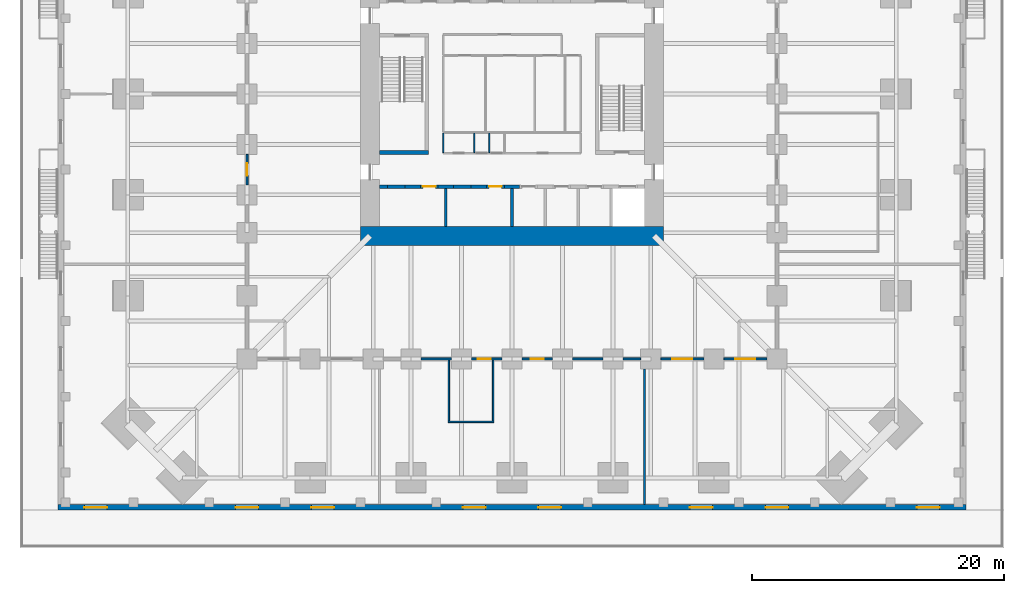
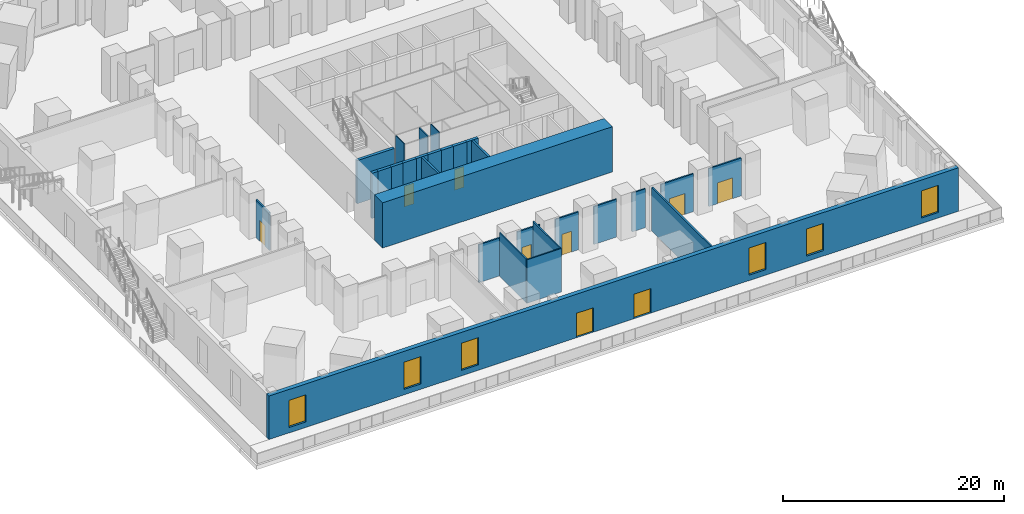
# One storey, part 10 of 20: 29 walls, 9 doors, 6 windows, 15 openings.
"""IFC4 building model written with IfcOpenShell, lengths in metres."""

from ifc_helpers import new_model, si_unit, direction, frame, frame_2d, origin, place, context, subcontext, project, spatial, rectangle, extrude, material, layer, layer_set, type_object, element, fill, save


model = new_model("IFC4")

# Units and contexts
model_context = context("Model", 3, precision=1e-05, world=origin(), true_north=direction((0.0, 1.0)))
body_context = subcontext(model_context, "Body", "Model", "MODEL_VIEW")
ifc_project = project(units=[si_unit("LENGTHUNIT", "METRE"), si_unit("AREAUNIT", "SQUARE_METRE"), si_unit("VOLUMEUNIT", "CUBIC_METRE"), si_unit("PLANEANGLEUNIT", "RADIAN"), si_unit("MASSUNIT", "GRAM", prefix="KILO")], contexts=[model_context])

# Site, building, storey
site_placement = place(None, origin())
site = spatial("IfcSite", under=ifc_project, at=site_placement, CompositionType="ELEMENT")
building_placement = place(site_placement, origin())
building = spatial("IfcBuilding", under=site, at=building_placement, Name="Peilmerk Tower", CompositionType="ELEMENT")
storey_placement = place(building_placement, frame((0.0, 0.0, 11.0)))
storey = spatial("IfcBuildingStorey", under=building, at=storey_placement, Name="L02", CompositionType="ELEMENT", Elevation=11.0)

# Wall, openings, doors, windows
ifc_material_1 = material(Name="Precast concrete C45/55, board-marked finish", Category="concrete")
ifc_layer_1 = layer(ifc_material_1, 0.449951171875)
ifc_layer_set_1 = layer_set([ifc_layer_1], Name="Precast concrete C45/55, board-marked finish")
wall_type_1 = type_object("IfcWallType", Name="EW1 450 precast concrete facade wall, board-marked", PredefinedType="SOLIDWALL", material=ifc_layer_set_1)
wall_1_placement = place(storey_placement, frame((36.0, -32.77490234375, 0.0), z_axis=(0.0, 0.0, 1.0), x_axis=(-1.0, 0.0, 0.0)))
wall_1 = element("IfcWall", 1, at=wall_1_placement, inside=storey, type_object=wall_type_1, Name="Facade wall S L02", PredefinedType="SOLIDWALL", context=body_context, shape_type="SweptSolid", body=[
    extrude(rectangle(XDim=72.0, YDim=0.449951171875, at=frame_2d((36.0, 0.0))), origin(), (0.0, 0.0, 1.0), 4.800048828125),
])
opening_1_placement = place(wall_1_placement, frame((2.10009765625, 0.0, 0.60009765625)))
opening_1 = element("IfcOpeningElement", 2, at=opening_1_placement, cuts=wall_1, Name="Opening W7", PredefinedType="OPENING", context=body_context, shape_type="SweptSolid", body=[
    extrude(rectangle(XDim=1.800048828125, YDim=3.0, at=frame_2d((0.89990234375, 1.5))), frame((0.0, 0.23486328125, 0.0), z_axis=(0.0, -1.0, 0.0), x_axis=(1.0, 0.0, 0.0)), (0.0, 0.0, 1.0), 0.469970703125),
])
opening_2_placement = place(wall_1_placement, frame((14.10009765625, 0.0, 0.60009765625)))
opening_2 = element("IfcOpeningElement", 3, at=opening_2_placement, cuts=wall_1, Name="Opening W7", PredefinedType="OPENING", context=body_context, shape_type="SweptSolid", body=[
    extrude(rectangle(XDim=1.800048828125, YDim=3.0, at=frame_2d((0.89990234375, 1.5))), frame((0.0, 0.23486328125, 0.0), z_axis=(0.0, -1.0, 0.0), x_axis=(1.0, 0.0, 0.0)), (0.0, 0.0, 1.0), 0.469970703125),
])
opening_3_placement = place(wall_1_placement, frame((20.10009765625, 0.0, 0.60009765625)))
opening_3 = element("IfcOpeningElement", 4, at=opening_3_placement, cuts=wall_1, Name="Opening W7", PredefinedType="OPENING", context=body_context, shape_type="SweptSolid", body=[
    extrude(rectangle(XDim=1.800048828125, YDim=3.0, at=frame_2d((0.89990234375, 1.5))), frame((0.0, 0.23486328125, 0.0), z_axis=(0.0, -1.0, 0.0), x_axis=(1.0, 0.0, 0.0)), (0.0, 0.0, 1.0), 0.469970703125),
])
opening_4_placement = place(wall_1_placement, frame((50.10009765625, 0.0, 0.60009765625)))
opening_4 = element("IfcOpeningElement", 5, at=opening_4_placement, cuts=wall_1, Name="Opening W7", PredefinedType="OPENING", context=body_context, shape_type="SweptSolid", body=[
    extrude(rectangle(XDim=1.800048828125, YDim=3.0, at=frame_2d((0.89990234375, 1.5))), frame((0.0, 0.23486328125, 0.0), z_axis=(0.0, -1.0, 0.0), x_axis=(1.0, 0.0, 0.0)), (0.0, 0.0, 1.0), 0.469970703125),
])
opening_5_placement = place(wall_1_placement, frame((56.10009765625, 0.0, 0.60009765625)))
opening_5 = element("IfcOpeningElement", 6, at=opening_5_placement, cuts=wall_1, Name="Opening W7", PredefinedType="OPENING", context=body_context, shape_type="SweptSolid", body=[
    extrude(rectangle(XDim=1.800048828125, YDim=3.0, at=frame_2d((0.89990234375, 1.5))), frame((0.0, 0.23486328125, 0.0), z_axis=(0.0, -1.0, 0.0), x_axis=(1.0, 0.0, 0.0)), (0.0, 0.0, 1.0), 0.469970703125),
])
opening_6_placement = place(wall_1_placement, frame((68.10009765625, 0.0, 0.60009765625)))
opening_6 = element("IfcOpeningElement", 7, at=opening_6_placement, cuts=wall_1, Name="Opening W7", PredefinedType="OPENING", context=body_context, shape_type="SweptSolid", body=[
    extrude(rectangle(XDim=1.800048828125, YDim=3.0, at=frame_2d((0.89990234375, 1.5))), frame((0.0, 0.23486328125, 0.0), z_axis=(0.0, -1.0, 0.0), x_axis=(1.0, 0.0, 0.0)), (0.0, 0.0, 1.0), 0.469970703125),
])
opening_7_placement = place(wall_1_placement, frame((32.10009765625, 0.0, 0.0)))
opening_7 = element("IfcOpeningElement", 8, at=opening_7_placement, cuts=wall_1, Name="Opening ED4", PredefinedType="OPENING", context=body_context, shape_type="SweptSolid", body=[
    extrude(rectangle(XDim=1.800048828125, YDim=2.699951171875, at=frame_2d((0.89990234375, 1.35009765625))), frame((0.0, 0.23486328125, 0.0), z_axis=(0.0, -1.0, 0.0), x_axis=(1.0, 0.0, 0.0)), (0.0, 0.0, 1.0), 0.469970703125),
])
opening_8_placement = place(wall_1_placement, frame((38.10009765625, 0.0, 0.0)))
opening_8 = element("IfcOpeningElement", 9, at=opening_8_placement, cuts=wall_1, Name="Opening ED4", PredefinedType="OPENING", context=body_context, shape_type="SweptSolid", body=[
    extrude(rectangle(XDim=1.800048828125, YDim=2.699951171875, at=frame_2d((0.89990234375, 1.35009765625))), frame((0.0, 0.23486328125, 0.0), z_axis=(0.0, -1.0, 0.0), x_axis=(1.0, 0.0, 0.0)), (0.0, 0.0, 1.0), 0.469970703125),
])
ifc_material_2 = material(Name="Aluminium frame, clear glazing", Category="aluminium")
door_type_1 = type_object("IfcDoorType", Name="ED4 1800x2700 terrace door pair, glazed", OperationType="DOUBLE_DOOR_DOUBLE_SWING", PredefinedType="DOOR", material=ifc_material_2)
door_1_placement = place(opening_7_placement, origin())
door_1 = element("IfcDoor", 10, at=door_1_placement, inside=storey, type_object=door_type_1, Name="Terrace door pair, glazed L02", OperationType="DOUBLE_DOOR_DOUBLE_SWING", OverallHeight=2.699951171875, OverallWidth=1.800048828125, PredefinedType="DOOR", context=body_context, shape_type="SweptSolid", body=[
    extrude(rectangle(XDim=1.800048828125, YDim=2.699951171875, at=frame_2d((0.89990234375, 1.35009765625))), frame((0.0, 0.02490234375, 0.0), z_axis=(0.0, -1.0, 0.0), x_axis=(1.0, 0.0, 0.0)), (0.0, 0.0, 1.0), 0.050048828125),
])
fill(opening_7, door_1)
door_2_placement = place(opening_8_placement, origin())
door_2 = element("IfcDoor", 11, at=door_2_placement, inside=storey, type_object=door_type_1, Name="Terrace door pair, glazed L02", OperationType="DOUBLE_DOOR_DOUBLE_SWING", OverallHeight=2.699951171875, OverallWidth=1.800048828125, PredefinedType="DOOR", context=body_context, shape_type="SweptSolid", body=[
    extrude(rectangle(XDim=1.800048828125, YDim=2.699951171875, at=frame_2d((0.89990234375, 1.35009765625))), frame((0.0, 0.02490234375, 0.0), z_axis=(0.0, -1.0, 0.0), x_axis=(1.0, 0.0, 0.0)), (0.0, 0.0, 1.0), 0.050048828125),
])
fill(opening_8, door_2)
ifc_material_3 = material(Name="Aluminium frame, clear double glazing", Category="aluminium")
window_type = type_object("IfcWindowType", Name="W7 1800x3000 podium window", PartitioningType="SINGLE_PANEL", PredefinedType="WINDOW", material=ifc_material_3)
window_1_placement = place(opening_1_placement, origin())
window_1 = element("IfcWindow", 12, at=window_1_placement, inside=storey, type_object=window_type, Name="Window W7 L02", OverallHeight=3.0, OverallWidth=1.800048828125, PartitioningType="SINGLE_PANEL", PredefinedType="WINDOW", context=body_context, shape_type="SweptSolid", body=[
    extrude(rectangle(XDim=1.800048828125, YDim=3.0, at=frame_2d((0.89990234375, 1.5))), frame((0.0, 0.030029296875, 0.0), z_axis=(0.0, -1.0, 0.0), x_axis=(1.0, 0.0, 0.0)), (0.0, 0.0, 1.0), 0.06005859375),
])
fill(opening_1, window_1)
window_2_placement = place(opening_2_placement, origin())
window_2 = element("IfcWindow", 13, at=window_2_placement, inside=storey, type_object=window_type, Name="Window W7 L02", OverallHeight=3.0, OverallWidth=1.800048828125, PartitioningType="SINGLE_PANEL", PredefinedType="WINDOW", context=body_context, shape_type="SweptSolid", body=[
    extrude(rectangle(XDim=1.800048828125, YDim=3.0, at=frame_2d((0.89990234375, 1.5))), frame((0.0, 0.030029296875, 0.0), z_axis=(0.0, -1.0, 0.0), x_axis=(1.0, 0.0, 0.0)), (0.0, 0.0, 1.0), 0.06005859375),
])
fill(opening_2, window_2)
window_3_placement = place(opening_3_placement, origin())
window_3 = element("IfcWindow", 14, at=window_3_placement, inside=storey, type_object=window_type, Name="Window W7 L02", OverallHeight=3.0, OverallWidth=1.800048828125, PartitioningType="SINGLE_PANEL", PredefinedType="WINDOW", context=body_context, shape_type="SweptSolid", body=[
    extrude(rectangle(XDim=1.800048828125, YDim=3.0, at=frame_2d((0.89990234375, 1.5))), frame((0.0, 0.030029296875, 0.0), z_axis=(0.0, -1.0, 0.0), x_axis=(1.0, 0.0, 0.0)), (0.0, 0.0, 1.0), 0.06005859375),
])
fill(opening_3, window_3)
window_4_placement = place(opening_4_placement, origin())
window_4 = element("IfcWindow", 15, at=window_4_placement, inside=storey, type_object=window_type, Name="Window W7 L02", OverallHeight=3.0, OverallWidth=1.800048828125, PartitioningType="SINGLE_PANEL", PredefinedType="WINDOW", context=body_context, shape_type="SweptSolid", body=[
    extrude(rectangle(XDim=1.800048828125, YDim=3.0, at=frame_2d((0.89990234375, 1.5))), frame((0.0, 0.030029296875, 0.0), z_axis=(0.0, -1.0, 0.0), x_axis=(1.0, 0.0, 0.0)), (0.0, 0.0, 1.0), 0.06005859375),
])
fill(opening_4, window_4)
window_5_placement = place(opening_5_placement, origin())
window_5 = element("IfcWindow", 16, at=window_5_placement, inside=storey, type_object=window_type, Name="Window W7 L02", OverallHeight=3.0, OverallWidth=1.800048828125, PartitioningType="SINGLE_PANEL", PredefinedType="WINDOW", context=body_context, shape_type="SweptSolid", body=[
    extrude(rectangle(XDim=1.800048828125, YDim=3.0, at=frame_2d((0.89990234375, 1.5))), frame((0.0, 0.030029296875, 0.0), z_axis=(0.0, -1.0, 0.0), x_axis=(1.0, 0.0, 0.0)), (0.0, 0.0, 1.0), 0.06005859375),
])
fill(opening_5, window_5)
window_6_placement = place(opening_6_placement, origin())
window_6 = element("IfcWindow", 17, at=window_6_placement, inside=storey, type_object=window_type, Name="Window W7 L02", OverallHeight=3.0, OverallWidth=1.800048828125, PartitioningType="SINGLE_PANEL", PredefinedType="WINDOW", context=body_context, shape_type="SweptSolid", body=[
    extrude(rectangle(XDim=1.800048828125, YDim=3.0, at=frame_2d((0.89990234375, 1.5))), frame((0.0, 0.030029296875, 0.0), z_axis=(0.0, -1.0, 0.0), x_axis=(1.0, 0.0, 0.0)), (0.0, 0.0, 1.0), 0.06005859375),
])
fill(opening_6, window_6)

# Wall, opening, door
ifc_material_4 = material(Name="Calcium silicate block", Category="masonry")
ifc_layer_2 = layer(ifc_material_4, 0.14990234375)
ifc_layer_set_2 = layer_set([ifc_layer_2], Name="Calcium silicate block")
wall_type_2 = type_object("IfcWallType", Name="IW1 150 corridor partition, EI 60", PredefinedType="PARTITIONING", material=ifc_layer_set_2)
wall_2_placement = place(storey_placement, frame((20.199951171875, -21.0, 0.0), z_axis=(0.0, 0.0, 1.0), x_axis=(-1.0, 0.0, 0.0)))
wall_2 = element("IfcWall", 18, at=wall_2_placement, inside=storey, type_object=wall_type_2, Name="Corridor wall S L02", PredefinedType="PARTITIONING", context=body_context, shape_type="SweptSolid", body=[
    extrude(rectangle(XDim=3.39990234375, YDim=0.14990234375, at=frame_2d((1.699951171875, 0.0))), origin(), (0.0, 0.0, 1.0), 4.179931640625),
])
opening_9_placement = place(wall_2_placement, frame((0.89990234375, 0.0, 0.0)))
opening_9 = element("IfcOpeningElement", 19, at=opening_9_placement, cuts=wall_2, Name="Opening D9", PredefinedType="OPENING", context=body_context, shape_type="SweptSolid", body=[
    extrude(rectangle(XDim=1.60009765625, YDim=2.300048828125, at=frame_2d((0.800048828125, 1.14990234375))), frame((0.0, 0.0849609375, 0.0), z_axis=(0.0, -1.0, 0.0), x_axis=(1.0, 0.0, 0.0)), (0.0, 0.0, 1.0), 0.169921875),
])
ifc_material_5 = material(Name="Glazed timber door in steel frame", Category="steel")
door_type_2 = type_object("IfcDoorType", Name="D9 1600x2300 glazed double door, EI2 30", OperationType="DOUBLE_DOOR_SINGLE_SWING", PredefinedType="DOOR", material=ifc_material_5)
door_3_placement = place(opening_9_placement, origin())
door_3 = element("IfcDoor", 20, at=door_3_placement, inside=storey, type_object=door_type_2, Name="Door Open workspace L02", OperationType="DOUBLE_DOOR_SINGLE_SWING", OverallHeight=2.300048828125, OverallWidth=1.60009765625, PredefinedType="DOOR", context=body_context, shape_type="SweptSolid", body=[
    extrude(rectangle(XDim=1.60009765625, YDim=2.300048828125, at=frame_2d((0.800048828125, 1.14990234375))), frame((0.0, 0.02490234375, 0.0), z_axis=(0.0, -1.0, 0.0), x_axis=(1.0, 0.0, 0.0)), (0.0, 0.0, 1.0), 0.050048828125),
])
fill(opening_9, door_3)

wall_3_placement = place(storey_placement, frame((15.199951171875, -21.0, 0.0), z_axis=(0.0, 0.0, 1.0), x_axis=(-1.0, 0.0, 0.0)))
wall_3 = element("IfcWall", 21, at=wall_3_placement, inside=storey, type_object=wall_type_2, Name="Corridor wall Sb L02", PredefinedType="PARTITIONING", context=body_context, shape_type="SweptSolid", body=[
    extrude(rectangle(XDim=3.39990234375, YDim=0.14990234375, at=frame_2d((1.699951171875, 0.0))), origin(), (0.0, 0.0, 1.0), 4.179931640625),
])
opening_10_placement = place(wall_3_placement, frame((0.89990234375, 0.0, 0.0)))
opening_10 = element("IfcOpeningElement", 22, at=opening_10_placement, cuts=wall_3, Name="Opening D9", PredefinedType="OPENING", context=body_context, shape_type="SweptSolid", body=[
    extrude(rectangle(XDim=1.60009765625, YDim=2.300048828125, at=frame_2d((0.800048828125, 1.14990234375))), frame((0.0, 0.0849609375, 0.0), z_axis=(0.0, -1.0, 0.0), x_axis=(1.0, 0.0, 0.0)), (0.0, 0.0, 1.0), 0.169921875),
])
door_4_placement = place(opening_10_placement, origin())
door_4 = element("IfcDoor", 23, at=door_4_placement, inside=storey, type_object=door_type_2, Name="Door Open workspace L02", OperationType="DOUBLE_DOOR_SINGLE_SWING", OverallHeight=2.300048828125, OverallWidth=1.60009765625, PredefinedType="DOOR", context=body_context, shape_type="SweptSolid", body=[
    extrude(rectangle(XDim=1.60009765625, YDim=2.300048828125, at=frame_2d((0.800048828125, 1.14990234375))), frame((0.0, 0.02490234375, 0.0), z_axis=(0.0, -1.0, 0.0), x_axis=(1.0, 0.0, 0.0)), (0.0, 0.0, 1.0), 0.050048828125),
])
fill(opening_10, door_4)

# Walls
wall_4_placement = place(storey_placement, frame((10.199951171875, -21.0, 0.0), z_axis=(0.0, 0.0, 1.0), x_axis=(-1.0, 0.0, 0.0)))
element("IfcWall", 24, at=wall_4_placement, inside=storey, type_object=wall_type_2, Name="Corridor wall Sc L02", PredefinedType="PARTITIONING", context=body_context, shape_type="SweptSolid", body=[
    extrude(rectangle(XDim=1.39990234375, YDim=0.14990234375, at=frame_2d((0.699951171875, 0.0))), origin(), (0.0, 0.0, 1.0), 4.27587890625),
])
wall_5_placement = place(storey_placement, frame((7.199951171875, -21.0, 0.0), z_axis=(0.0, 0.0, 1.0), x_axis=(-1.0, 0.0, 0.0)))
element("IfcWall", 25, at=wall_5_placement, inside=storey, type_object=wall_type_2, Name="Corridor wall Sd L02", PredefinedType="PARTITIONING", context=body_context, shape_type="SweptSolid", body=[
    extrude(rectangle(XDim=2.39990234375, YDim=0.14990234375, at=frame_2d((1.199951171875, 0.0))), origin(), (0.0, 0.0, 1.0), 4.179931640625),
])

# Wall, opening, door
wall_6_placement = place(storey_placement, frame((3.199951171875, -21.0, 0.0), z_axis=(0.0, 0.0, 1.0), x_axis=(-1.0, 0.0, 0.0)))
wall_6 = element("IfcWall", 26, at=wall_6_placement, inside=storey, type_object=wall_type_2, Name="Corridor wall Se L02", PredefinedType="PARTITIONING", context=body_context, shape_type="SweptSolid", body=[
    extrude(rectangle(XDim=2.39990234375, YDim=0.14990234375, at=frame_2d((1.199951171875, 0.0))), origin(), (0.0, 0.0, 1.0), 4.179931640625),
])
opening_11_placement = place(wall_6_placement, frame((0.699951171875, 0.0, 0.0)))
opening_11 = element("IfcOpeningElement", 27, at=opening_11_placement, cuts=wall_6, Name="Opening D1", PredefinedType="OPENING", context=body_context, shape_type="SweptSolid", body=[
    extrude(rectangle(XDim=1.0, YDim=2.300048828125, at=frame_2d((0.5, 1.14990234375))), frame((0.0, 0.0849609375, 0.0), z_axis=(0.0, -1.0, 0.0), x_axis=(1.0, 0.0, 0.0)), (0.0, 0.0, 1.0), 0.169921875),
])
ifc_material_6 = material(Name="Timber door in steel frame", Category="steel")
door_type_3 = type_object("IfcDoorType", Name="D1 1000x2300 room door, EI2 30", OperationType="SINGLE_SWING_LEFT", PredefinedType="DOOR", material=ifc_material_6)
door_5_placement = place(opening_11_placement, origin())
door_5 = element("IfcDoor", 28, at=door_5_placement, inside=storey, type_object=door_type_3, Name="Door Project room L02", OperationType="SINGLE_SWING_LEFT", OverallHeight=2.300048828125, OverallWidth=1.0, PredefinedType="DOOR", context=body_context, shape_type="SweptSolid", body=[
    extrude(rectangle(XDim=1.0, YDim=2.300048828125, at=frame_2d((0.5, 1.14990234375))), frame((0.0, 0.02490234375, 0.0), z_axis=(0.0, -1.0, 0.0), x_axis=(1.0, 0.0, 0.0)), (0.0, 0.0, 1.0), 0.050048828125),
])
fill(opening_11, door_5)

wall_7_placement = place(storey_placement, frame((-0.800048828125, -21.0, 0.0), z_axis=(0.0, 0.0, 1.0), x_axis=(-1.0, 0.0, 0.0)))
wall_7 = element("IfcWall", 29, at=wall_7_placement, inside=storey, type_object=wall_type_2, Name="Corridor wall Sf L02", PredefinedType="PARTITIONING", context=body_context, shape_type="SweptSolid", body=[
    extrude(rectangle(XDim=2.39990234375, YDim=0.14990234375, at=frame_2d((1.199951171875, 0.0))), origin(), (0.0, 0.0, 1.0), 4.179931640625),
])
opening_12_placement = place(wall_7_placement, frame((0.89990234375, 0.0, 0.0)))
opening_12 = element("IfcOpeningElement", 30, at=opening_12_placement, cuts=wall_7, Name="Opening D1", PredefinedType="OPENING", context=body_context, shape_type="SweptSolid", body=[
    extrude(rectangle(XDim=1.0, YDim=2.300048828125, at=frame_2d((0.5, 1.14990234375))), frame((0.0, 0.0849609375, 0.0), z_axis=(0.0, -1.0, 0.0), x_axis=(1.0, 0.0, 0.0)), (0.0, 0.0, 1.0), 0.169921875),
])
door_6_placement = place(opening_12_placement, origin())
door_6 = element("IfcDoor", 31, at=door_6_placement, inside=storey, type_object=door_type_3, Name="Door Pantry L02", OperationType="SINGLE_SWING_LEFT", OverallHeight=2.300048828125, OverallWidth=1.0, PredefinedType="DOOR", context=body_context, shape_type="SweptSolid", body=[
    extrude(rectangle(XDim=1.0, YDim=2.300048828125, at=frame_2d((0.5, 1.14990234375))), frame((0.0, 0.02490234375, 0.0), z_axis=(0.0, -1.0, 0.0), x_axis=(1.0, 0.0, 0.0)), (0.0, 0.0, 1.0), 0.050048828125),
])
fill(opening_12, door_6)

# Wall
wall_8_placement = place(storey_placement, frame((-4.800048828125, -21.0, 0.0), z_axis=(0.0, 0.0, 1.0), x_axis=(-1.0, 0.0, 0.0)))
element("IfcWall", 32, at=wall_8_placement, inside=storey, type_object=wall_type_2, Name="Corridor wall Sg L02", PredefinedType="PARTITIONING", context=body_context, shape_type="SweptSolid", body=[
    extrude(rectangle(XDim=2.39990234375, YDim=0.14990234375, at=frame_2d((1.199951171875, 0.0))), origin(), (0.0, 0.0, 1.0), 4.179931640625),
])

# Wall, opening, door
wall_9_placement = place(storey_placement, frame((-21.0, -4.800048828125, 0.0), z_axis=(0.0, 0.0, 1.0), x_axis=(0.0, -1.0, 0.0)))
wall_9 = element("IfcWall", 33, at=wall_9_placement, inside=storey, type_object=wall_type_2, Name="Corridor wall Wg L02", PredefinedType="PARTITIONING", context=body_context, shape_type="SweptSolid", body=[
    extrude(rectangle(XDim=2.39990234375, YDim=0.14990234375, at=frame_2d((1.199951171875, 0.0))), origin(), (0.0, 0.0, 1.0), 4.179931640625),
])
opening_13_placement = place(wall_9_placement, frame((0.699951171875, 0.0, 0.0)))
opening_13 = element("IfcOpeningElement", 34, at=opening_13_placement, cuts=wall_9, Name="Opening D1", PredefinedType="OPENING", context=body_context, shape_type="SweptSolid", body=[
    extrude(rectangle(XDim=1.0, YDim=2.300048828125, at=frame_2d((0.5, 1.14990234375))), frame((0.0, 0.0849609375, 0.0), z_axis=(0.0, -1.0, 0.0), x_axis=(1.0, 0.0, 0.0)), (0.0, 0.0, 1.0), 0.169921875),
])
door_7_placement = place(opening_13_placement, frame((1.0, 0.0, 0.0), z_axis=(0.0, 0.0, 1.0), x_axis=(-1.0, 0.0, 0.0)))
door_7 = element("IfcDoor", 35, at=door_7_placement, inside=storey, type_object=door_type_3, Name="Door Office L02", OperationType="SINGLE_SWING_LEFT", OverallHeight=2.300048828125, OverallWidth=1.0, PredefinedType="DOOR", context=body_context, shape_type="SweptSolid", body=[
    extrude(rectangle(XDim=1.0, YDim=2.300048828125, at=frame_2d((0.5, 1.14990234375))), frame((0.0, 0.02490234375, 0.0), z_axis=(0.0, -1.0, 0.0), x_axis=(1.0, 0.0, 0.0)), (0.0, 0.0, 1.0), 0.050048828125),
])
fill(opening_13, door_7)

# Walls
ifc_material_7 = material(Name="Concrete C35/45", Category="concrete")
ifc_layer_3 = layer(ifc_material_7, 0.300048828125)
ifc_layer_set_3 = layer_set([ifc_layer_3], Name="Concrete C35/45")
wall_type_3 = type_object("IfcWallType", Name="IW3 300 concrete stair enclosure wall, EI 120", PredefinedType="SOLIDWALL", material=ifc_layer_set_3)
wall_10_placement = place(storey_placement, frame((-6.60009765625, -4.64990234375, 0.0), z_axis=(0.0, 0.0, 1.0), x_axis=(-1.0, 0.0, 0.0)))
element("IfcWall", 36, at=wall_10_placement, inside=storey, type_object=wall_type_3, Name="Stair 1 enclosure L02", PredefinedType="SOLIDWALL", context=body_context, shape_type="SweptSolid", body=[
    extrude(rectangle(XDim=3.89990234375, YDim=0.300048828125, at=frame_2d((1.949951171875, 0.0))), origin(), (0.0, 0.0, 1.0), 4.75),
])
ifc_material_8 = material(Name="Calcium silicate board on steel studs", Category="steel")
ifc_layer_4 = layer(ifc_material_8, 0.10009765625)
ifc_layer_set_4 = layer_set([ifc_layer_4], Name="Calcium silicate board on steel studs")
wall_type_4 = type_object("IfcWallType", Name="IW5 100 riser enclosure wall, EI 60", PredefinedType="PARTITIONING", material=ifc_layer_set_4)
for number, where, z_axis, x_axis, name in (
    (37, (-5.449951171875, -3.10009765625, 0.0), (0.0, 0.0, 1.0), (0.0, -1.0, 0.0), "Riser wall L02"),
    (38, (-3.0, -3.10009765625, 0.0), (0.0, 0.0, 1.0), (0.0, -1.0, 0.0), "Riser wall L02"),
    (39, (-1.800048828125, -3.10009765625, 0.0), (0.0, 0.0, 1.0), (0.0, -1.0, 0.0), "Riser wall L02"),
):
    element("IfcWall", number, at=place(storey_placement, frame(where, z_axis=z_axis, x_axis=x_axis)), inside=storey, type_object=wall_type_4, Name=name, PredefinedType="PARTITIONING", context=body_context, shape_type="SweptSolid", body=[
        extrude(rectangle(XDim=1.5498046875, YDim=0.10009765625, at=frame_2d((0.77490234375, 0.0))), origin(), (0.0, 0.0, 1.0), 4.75),
    ])
ifc_material_9 = material(Name="Plasterboard on steel studs, double boarded with mineral wool", Category="steel")
ifc_layer_5 = layer(ifc_material_9, 0.125)
ifc_layer_set_5 = layer_set([ifc_layer_5], Name="Plasterboard on steel studs, double boarded with mineral wool")
wall_type_5 = type_object("IfcWallType", Name="IW7 125 acoustic partition, EI 30", PredefinedType="PARTITIONING", material=ifc_layer_set_5)
wall_11_placement = place(storey_placement, frame((-5.0625, -26.0, 0.0), z_axis=(0.0, 0.0, 1.0), x_axis=(1.0, 0.0, 0.0)))
element("IfcWall", 40, at=wall_11_placement, inside=storey, type_object=wall_type_5, Name="Acoustic partition Pantry L02", PredefinedType="PARTITIONING", context=body_context, shape_type="SweptSolid", body=[
    extrude(rectangle(XDim=3.625, YDim=0.125, at=frame_2d((1.8125, 0.0))), origin(), (0.0, 0.0, 1.0), 4.800048828125),
])
for number, where, z_axis, x_axis, name in (
    (41, (-5.0, -21.074951171875, 0.0), (0.0, 0.0, 1.0), (0.0, -1.0, 0.0), "Acoustic partition Pantry L02"),
    (42, (-1.5, -21.074951171875, 0.0), (0.0, 0.0, 1.0), (0.0, -1.0, 0.0), "Acoustic partition Pantry L02"),
):
    element("IfcWall", number, at=place(storey_placement, frame(where, z_axis=z_axis, x_axis=x_axis)), inside=storey, type_object=wall_type_5, Name=name, PredefinedType="PARTITIONING", context=body_context, shape_type="SweptSolid", body=[
        extrude(rectangle(XDim=4.862548828125, YDim=0.125, at=frame_2d((2.43115234375, 0.0))), origin(), (0.0, 0.0, 1.0), 4.800048828125),
    ])
ifc_layer_6 = layer(ifc_material_4, 0.175048828125)
ifc_layer_set_6 = layer_set([ifc_layer_6], Name="Calcium silicate block")
wall_type_6 = type_object("IfcWallType", Name="IW8 175 tenant separating wall, EI 60", PredefinedType="PARTITIONING", material=ifc_layer_set_6)
wall_12_placement = place(storey_placement, frame((10.5, -21.800048828125, 0.0), z_axis=(0.0, 0.0, 1.0), x_axis=(0.0, -1.0, 0.0)))
element("IfcWall", 43, at=wall_12_placement, inside=storey, type_object=wall_type_6, Name="Tenant separating wall S2 L02", PredefinedType="PARTITIONING", context=body_context, shape_type="SweptSolid", body=[
    extrude(rectangle(XDim=10.75, YDim=0.175048828125, at=frame_2d((5.375, 0.0))), origin(), (0.0, 0.0, 1.0), 4.800048828125),
])
ifc_layer_7 = layer(ifc_material_4, 0.199951171875)
ifc_layer_set_7 = layer_set([ifc_layer_7], Name="Calcium silicate block")
wall_type_7 = type_object("IfcWallType", Name="SH1 200 shaft dividing wall, EI 120", PredefinedType="PARTITIONING", material=ifc_layer_set_7)
for number, where, z_axis, x_axis, name in (
    (44, (-5.25, -10.5, 0.0), (0.0, 0.0, 1.0), (0.0, 1.0, 0.0), "Shaft wall S C3 L02"),
    (45, (0.0, -10.5, 0.0), (0.0, 0.0, 1.0), (0.0, 1.0, 0.0), "Shaft wall S C1 L02"),
):
    element("IfcWall", number, at=place(storey_placement, frame(where, z_axis=z_axis, x_axis=x_axis)), inside=storey, type_object=wall_type_7, Name=name, PredefinedType="PARTITIONING", context=body_context, shape_type="SweptSolid", body=[
        extrude(rectangle(XDim=3.0, YDim=0.199951171875, at=frame_2d((1.5, 0.0))), origin(), (0.0, 0.0, 1.0), 5.0),
    ])
ifc_layer_8 = layer(ifc_material_4, 0.300048828125)
ifc_layer_set_8 = layer_set([ifc_layer_8], Name="Calcium silicate block")
wall_type_8 = type_object("IfcWallType", Name="SH2 300 lift landing door panel, EI 120", PredefinedType="PARTITIONING", material=ifc_layer_set_8)
wall_13_placement = place(storey_placement, frame((-9.887451171875, -7.35009765625, 0.0), z_axis=(0.0, 0.0, 1.0), x_axis=(1.0, 0.0, 0.0)))
element("IfcWall", 46, at=wall_13_placement, inside=storey, type_object=wall_type_8, Name="Lift door panel S C4 L02", PredefinedType="PARTITIONING", context=body_context, shape_type="SweptSolid", body=[
    extrude(rectangle(XDim=1.39990234375, YDim=0.300048828125, at=frame_2d((0.699951171875, 0.0))), origin(), (0.0, 0.0, 1.0), 5.0),
])

# Wall, opening, door
wall_14_placement = place(storey_placement, frame((-7.262451171875, -7.35009765625, 0.0), z_axis=(0.0, 0.0, 1.0), x_axis=(1.0, 0.0, 0.0)))
wall_14 = element("IfcWall", 47, at=wall_14_placement, inside=storey, type_object=wall_type_8, Name="Lift door panel S C3 L02", PredefinedType="PARTITIONING", context=body_context, shape_type="SweptSolid", body=[
    extrude(rectangle(XDim=1.39990234375, YDim=0.300048828125, at=frame_2d((0.699951171875, 0.0))), origin(), (0.0, 0.0, 1.0), 5.0),
])
opening_14_placement = place(wall_14_placement, frame((0.199951171875, 0.0, 0.0)))
opening_14 = element("IfcOpeningElement", 48, at=opening_14_placement, cuts=wall_14, Name="Opening D10", PredefinedType="OPENING", context=body_context, shape_type="SweptSolid", body=[
    extrude(rectangle(XDim=1.0, YDim=2.300048828125, at=frame_2d((0.5, 1.14990234375))), frame((0.0, 0.159912109375, 0.0), z_axis=(0.0, -1.0, 0.0), x_axis=(1.0, 0.0, 0.0)), (0.0, 0.0, 1.0), 0.320068359375),
])
ifc_material_10 = material(Name="Steel door in steel frame", Category="steel")
door_type_4 = type_object("IfcDoorType", Name="D10 1000x2300 core room door, EI2 60", OperationType="SINGLE_SWING_RIGHT", PredefinedType="DOOR", material=ifc_material_10)
door_8_placement = place(opening_14_placement, frame((1.0, 0.0, 0.0), z_axis=(0.0, 0.0, 1.0), x_axis=(-1.0, 0.0, 0.0)))
door_8 = element("IfcDoor", 49, at=door_8_placement, inside=storey, type_object=door_type_4, Name="Door Staff room L02", OperationType="SINGLE_SWING_RIGHT", OverallHeight=2.300048828125, OverallWidth=1.0, PredefinedType="DOOR", context=body_context, shape_type="SweptSolid", body=[
    extrude(rectangle(XDim=1.0, YDim=2.300048828125, at=frame_2d((0.5, 1.14990234375))), frame((0.0, 0.02490234375, 0.0), z_axis=(0.0, -1.0, 0.0), x_axis=(1.0, 0.0, 0.0)), (0.0, 0.0, 1.0), 0.050048828125),
])
fill(opening_14, door_8)

# Wall
wall_15_placement = place(storey_placement, frame((-4.637451171875, -7.35009765625, 0.0), z_axis=(0.0, 0.0, 1.0), x_axis=(1.0, 0.0, 0.0)))
element("IfcWall", 50, at=wall_15_placement, inside=storey, type_object=wall_type_8, Name="Lift door panel S C2 L02", PredefinedType="PARTITIONING", context=body_context, shape_type="SweptSolid", body=[
    extrude(rectangle(XDim=1.39990234375, YDim=0.300048828125, at=frame_2d((0.699951171875, 0.0))), origin(), (0.0, 0.0, 1.0), 5.0),
])

# Wall, opening, door
wall_16_placement = place(storey_placement, frame((-2.012451171875, -7.35009765625, 0.0), z_axis=(0.0, 0.0, 1.0), x_axis=(1.0, 0.0, 0.0)))
wall_16 = element("IfcWall", 51, at=wall_16_placement, inside=storey, type_object=wall_type_8, Name="Lift door panel S C1 L02", PredefinedType="PARTITIONING", context=body_context, shape_type="SweptSolid", body=[
    extrude(rectangle(XDim=1.39990234375, YDim=0.300048828125, at=frame_2d((0.699951171875, 0.0))), origin(), (0.0, 0.0, 1.0), 5.0),
])
opening_15_placement = place(wall_16_placement, frame((0.199951171875, 0.0, 0.0)))
opening_15 = element("IfcOpeningElement", 52, at=opening_15_placement, cuts=wall_16, Name="Opening D10", PredefinedType="OPENING", context=body_context, shape_type="SweptSolid", body=[
    extrude(rectangle(XDim=1.0, YDim=2.300048828125, at=frame_2d((0.5, 1.14990234375))), frame((0.0, 0.159912109375, 0.0), z_axis=(0.0, -1.0, 0.0), x_axis=(1.0, 0.0, 0.0)), (0.0, 0.0, 1.0), 0.320068359375),
])
door_9_placement = place(opening_15_placement, frame((1.0, 0.0, 0.0), z_axis=(0.0, 0.0, 1.0), x_axis=(-1.0, 0.0, 0.0)))
door_9 = element("IfcDoor", 53, at=door_9_placement, inside=storey, type_object=door_type_4, Name="Door Mail room L02", OperationType="SINGLE_SWING_RIGHT", OverallHeight=2.300048828125, OverallWidth=1.0, PredefinedType="DOOR", context=body_context, shape_type="SweptSolid", body=[
    extrude(rectangle(XDim=1.0, YDim=2.300048828125, at=frame_2d((0.5, 1.14990234375))), frame((0.0, 0.02490234375, 0.0), z_axis=(0.0, -1.0, 0.0), x_axis=(1.0, 0.0, 0.0)), (0.0, 0.0, 1.0), 0.050048828125),
])
fill(opening_15, door_9)

# Walls
ifc_material_11 = material(Name="Concrete C55/67", Category="concrete")
ifc_layer_9 = layer(ifc_material_11, 1.5)
ifc_layer_set_9 = layer_set([ifc_layer_9], Name="Concrete C55/67")
wall_type_9 = type_object("IfcWallType", Name="SW1 1500 core wall", PredefinedType="SHEAR", material=ifc_layer_set_9)
wall_17_placement = place(storey_placement, frame((12.0, -11.25, 0.0), z_axis=(0.0, 0.0, 1.0), x_axis=(-1.0, 0.0, 0.0)))
element("IfcWall", 54, at=wall_17_placement, inside=storey, type_object=wall_type_9, Name="Core wall S L02", PredefinedType="SHEAR", context=body_context, shape_type="SweptSolid", body=[
    extrude(rectangle(XDim=24.0, YDim=1.5, at=frame_2d((12.0, 0.0))), origin(), (0.0, 0.0, 1.0), 5.0),
])
ifc_layer_10 = layer(ifc_material_11, 0.300048828125)
ifc_layer_set_10 = layer_set([ifc_layer_10], Name="Concrete C55/67")
wall_type_10 = type_object("IfcWallType", Name="SW2 300 lift bank pier", PredefinedType="SHEAR", material=ifc_layer_set_10)
wall_18_placement = place(storey_placement, frame((-10.5, -7.35009765625, 0.0), z_axis=(0.0, 0.0, 1.0), x_axis=(1.0, 0.0, 0.0)))
element("IfcWall", 55, at=wall_18_placement, inside=storey, type_object=wall_type_10, Name="Lift bank pier S L02", PredefinedType="SHEAR", context=body_context, shape_type="SweptSolid", body=[
    extrude(rectangle(XDim=0.612548828125, YDim=0.300048828125, at=frame_2d((0.30615234375, 0.0))), origin(), (0.0, 0.0, 1.0), 5.0),
])
for number, where, z_axis, x_axis, name in (
    (56, (-8.487548828125, -7.35009765625, 0.0), (0.0, 0.0, 1.0), (1.0, 0.0, 0.0), "Lift bank pier S L02"),
    (57, (-5.862548828125, -7.35009765625, 0.0), (0.0, 0.0, 1.0), (1.0, 0.0, 0.0), "Lift bank pier S L02"),
    (58, (-3.237548828125, -7.35009765625, 0.0), (0.0, 0.0, 1.0), (1.0, 0.0, 0.0), "Lift bank pier S L02"),
    (59, (-0.612548828125, -7.35009765625, 0.0), (0.0, 0.0, 1.0), (1.0, 0.0, 0.0), "Lift bank pier S L02"),
):
    element("IfcWall", number, at=place(storey_placement, frame(where, z_axis=z_axis, x_axis=x_axis)), inside=storey, type_object=wall_type_10, Name=name, PredefinedType="SHEAR", context=body_context, shape_type="SweptSolid", body=[
        extrude(rectangle(XDim=1.22509765625, YDim=0.300048828125, at=frame_2d((0.612548828125, 0.0))), origin(), (0.0, 0.0, 1.0), 5.0),
    ])

save(model, "model.ifc")
